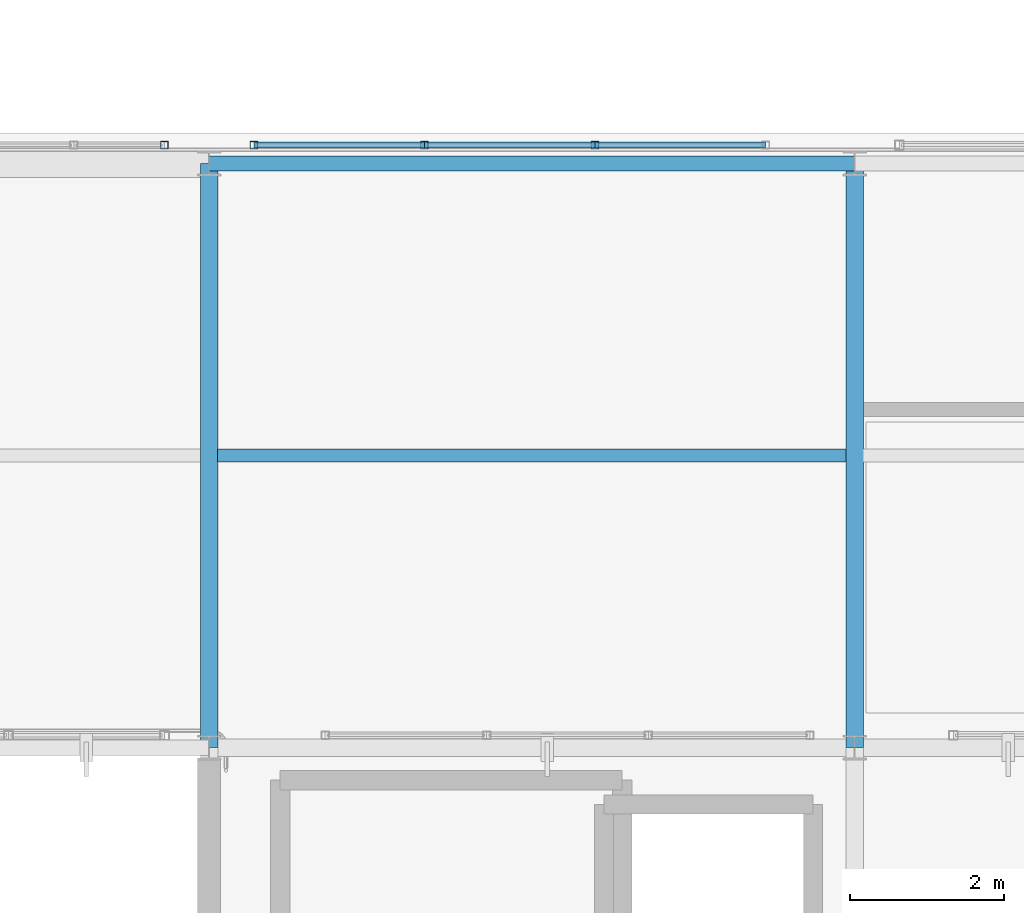
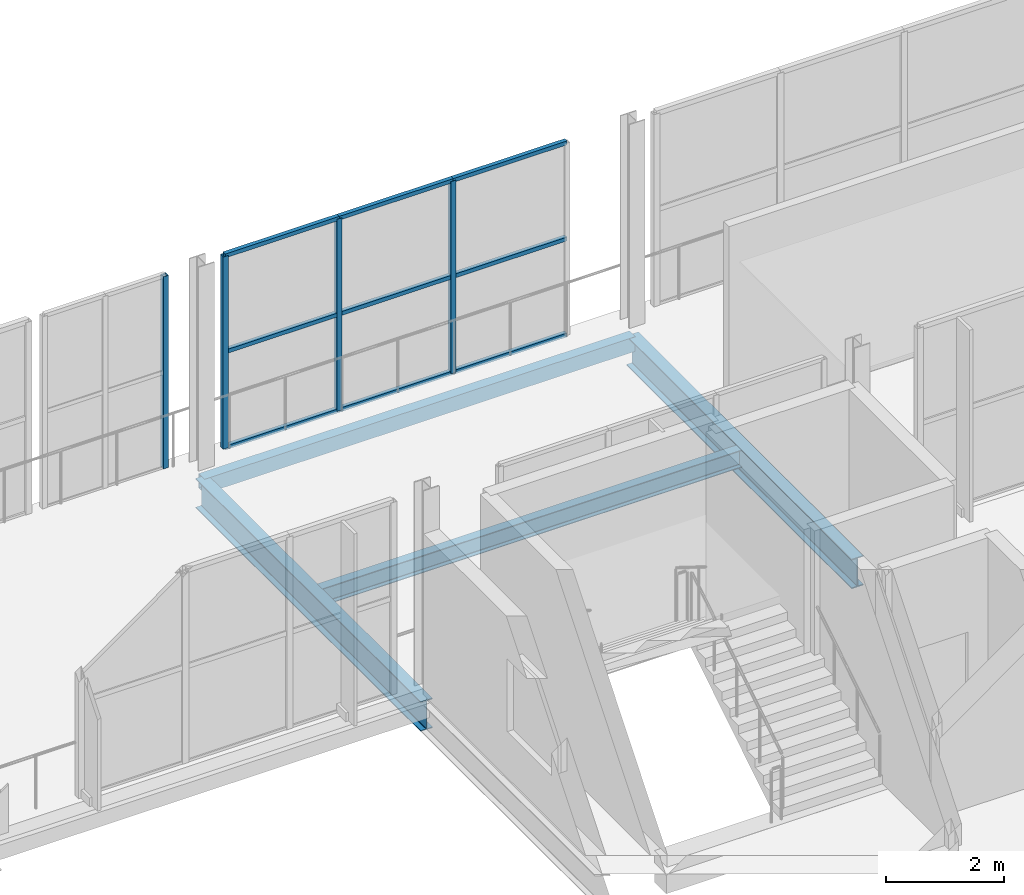
# One storey, part 29 of 151: 13 members, 4 beams, 2 elements without a shape of their own.
"""IFC4 building model written with IfcOpenShell, lengths in metres."""

from ifc_helpers import new_model, si_unit, direction, frame, origin, origin_2d, place, context, subcontext, project, spatial, hollow_rectangle, i_section, extrude, material, material_profile, profile_set, type_object, element, aggregate, save


model = new_model("IFC4")

# Units and contexts
model_context = context("Model", 3, precision=1e-05, world=origin(), true_north=direction((0.0, 1.0)))
body_context = subcontext(model_context, "Body", "Model", "MODEL_VIEW")
ifc_project = project(units=[si_unit("LENGTHUNIT", "METRE"), si_unit("AREAUNIT", "SQUARE_METRE"), si_unit("VOLUMEUNIT", "CUBIC_METRE"), si_unit("PLANEANGLEUNIT", "RADIAN"), si_unit("MASSUNIT", "GRAM", prefix="KILO")], contexts=[model_context])

# Site, building, storey
site_placement = place(None, origin())
site = spatial("IfcSite", under=ifc_project, at=site_placement, CompositionType="ELEMENT")
building_placement = place(site_placement, origin())
building = spatial("IfcBuilding", under=site, at=building_placement, Name="Zuvorla Pavilion Media Centre", CompositionType="ELEMENT")
storey_placement = place(building_placement, frame((0.0, 0.0, 13.800048828125)))
storey = spatial("IfcBuildingStorey", under=building, at=storey_placement, Name="L03", CompositionType="ELEMENT", Elevation=13.800048828125)

# Beams
ifc_material_1 = material(Name="Steel S355", Category="steel")
ifc_material_profile_1 = material_profile(ifc_material_1, hollow_rectangle(XDim=0.199951171875, YDim=0.300048828125, WallThickness=0.012451171875, at=origin_2d()), Name="RHS 300x200x12.5")
ifc_profile_set_1 = profile_set([ifc_material_profile_1], Name="Steel S355")
beam_type_1 = type_object("IfcBeamType", Name="BM-SP-RHS300", PredefinedType="SPANDREL", material=ifc_profile_set_1)
beam_1_placement = place(storey_placement, frame((41.60009765625, 51.60009765625, -0.407958984375), z_axis=(1.0, 0.0, 0.0), x_axis=(0.0, 1.0, 0.0)))
element("IfcBeam", 1, at=beam_1_placement, inside=storey, type_object=beam_type_1, Name="L03 spandrel SP01 1094", PredefinedType="SPANDREL", context=body_context, shape_type="SweptSolid", body=[
    extrude(hollow_rectangle(XDim=0.199951171875, YDim=0.300048828125, WallThickness=0.012451171875, at=origin_2d()), origin(), (0.0, 0.0, 1.0), 8.39990234375),
])
ifc_material_profile_2 = material_profile(ifc_material_1, i_section(OverallWidth=0.172119140625, OverallDepth=0.35791015625, WebThickness=0.008056640625, FlangeThickness=0.012939453125, FilletRadius=0.01025390625, at=origin_2d()), Name="UB 356x171x57")
ifc_profile_set_2 = profile_set([ifc_material_profile_2], Name="Steel S355")
beam_type_2 = type_object("IfcBeamType", Name="BM-UB356", PredefinedType="JOIST", material=ifc_profile_set_2)
beam_2_placement = place(storey_placement, frame((41.70947265625, 47.800048828125, -0.43701171875), z_axis=(1.0, 0.0, 0.0), x_axis=(0.0, 1.0, 0.0)))
element("IfcBeam", 2, at=beam_2_placement, inside=storey, type_object=beam_type_2, Name="L03 joist J03 1244", PredefinedType="JOIST", context=body_context, shape_type="SweptSolid", body=[
    extrude(i_section(OverallWidth=0.172119140625, OverallDepth=0.35791015625, WebThickness=0.008056640625, FlangeThickness=0.012939453125, FilletRadius=0.01025390625, at=origin_2d()), origin(), (0.0, 0.0, 1.0), 8.180908203125),
])
ifc_material_profile_3 = material_profile(ifc_material_1, i_section(OverallWidth=0.22900390625, OverallDepth=0.6123046875, WebThickness=0.011962890625, FlangeThickness=0.01953125, FilletRadius=0.0126953125, at=origin_2d()), Name="UB 610x229x125")
ifc_profile_set_3 = profile_set([ifc_material_profile_3], Name="Steel S355")
beam_type_3 = type_object("IfcBeamType", Name="BM-UB610", PredefinedType="BEAM", material=ifc_profile_set_3)
for number, where, z_axis, x_axis, name in (
    (3, (41.60009765625, 44.0, -0.564208984375), (0.0, 1.0, 0.0), (-1.0, 0.0, 0.0), "L03 beam B07 1164"),
    (4, (50.0, 44.0, -0.564208984375), (0.0, 1.0, 0.0), (-1.0, 0.0, 0.0), "L03 beam B07 1171"),
):
    element("IfcBeam", number, at=place(storey_placement, frame(where, z_axis=z_axis, x_axis=x_axis)), inside=storey, type_object=beam_type_3, Name=name, PredefinedType="BEAM", context=body_context, shape_type="SweptSolid", body=[
        extrude(i_section(OverallWidth=0.22900390625, OverallDepth=0.6123046875, WebThickness=0.011962890625, FlangeThickness=0.01953125, FilletRadius=0.0126953125, at=origin_2d()), origin(), (0.0, 0.0, 1.0), 7.60009765625),
    ])

# Curtain wall, member
ifc_material_2 = material(Name="Unitised anodised aluminium and solar glass curtain wall", Category="aluminium")
curtain_wall_type_1 = type_object("IfcCurtainWallType", Name="CW-SYS-31", PredefinedType="USERDEFINED", material=ifc_material_2)
curtain_wall_1_placement = place(storey_placement, origin())
curtain_wall_1 = element("IfcCurtainWall", 5, at=curtain_wall_1_placement, inside=storey, type_object=curtain_wall_type_1, Name="L03 curtain wall CW31 151", ObjectType="CURTAIN WALL", PredefinedType="USERDEFINED")
ifc_material_3 = material(Name="Anodised aluminium 6063-T6", Category="aluminium")
ifc_material_profile_4 = material_profile(ifc_material_3, hollow_rectangle(XDim=0.10009765625, YDim=0.10009765625, WallThickness=0.00439453125, at=origin_2d()), Name="ALU MULL 100x100")
ifc_profile_set_4 = profile_set([ifc_material_profile_4], Name="Anodised aluminium 6063-T6")
member_type_1 = type_object("IfcMemberType", Name="CW-MULL-100", PredefinedType="MULLION", material=ifc_profile_set_4)
member_1_placement = place(storey_placement, frame((41.01806640625, 51.840087890625, 0.0), z_axis=(0.0, 0.0, 1.0), x_axis=(1.0, 0.0, 0.0)))
member_1 = element("IfcMember", 6, at=member_1_placement, type_object=member_type_1, Name="CW31 mullion 3", PredefinedType="MULLION", context=body_context, shape_type="SweptSolid", body=[
    extrude(hollow_rectangle(XDim=0.10009765625, YDim=0.10009765625, WallThickness=0.00439453125, at=origin_2d()), origin(), (0.0, 0.0, 1.0), 3.9599609375),
])
aggregate(curtain_wall_1, [member_1])

# Curtain wall, members
curtain_wall_type_2 = type_object("IfcCurtainWallType", Name="CW-SYS-32", PredefinedType="USERDEFINED", material=ifc_material_2)
curtain_wall_2_placement = place(storey_placement, origin())
curtain_wall_2 = element("IfcCurtainWall", 7, at=curtain_wall_2_placement, inside=storey, type_object=curtain_wall_type_2, Name="L03 curtain wall CW32 152", ObjectType="CURTAIN WALL", PredefinedType="USERDEFINED")
member_2_placement = place(storey_placement, frame((42.181884765625, 51.840087890625, 0.0), z_axis=(0.0, 0.0, 1.0), x_axis=(1.0, 0.0, 0.0)))
member_2 = element("IfcMember", 8, at=member_2_placement, type_object=member_type_1, Name="CW32 mullion 1", PredefinedType="MULLION", context=body_context, shape_type="SweptSolid", body=[
    extrude(hollow_rectangle(XDim=0.10009765625, YDim=0.10009765625, WallThickness=0.00439453125, at=origin_2d()), origin(), (0.0, 0.0, 1.0), 3.9599609375),
])
member_3_placement = place(storey_placement, frame((44.4013671875, 51.840087890625, 0.0), z_axis=(0.0, 0.0, 1.0), x_axis=(1.0, 0.0, 0.0)))
member_3 = element("IfcMember", 9, at=member_3_placement, type_object=member_type_1, Name="CW32 mullion 2", PredefinedType="MULLION", context=body_context, shape_type="SweptSolid", body=[
    extrude(hollow_rectangle(XDim=0.10009765625, YDim=0.10009765625, WallThickness=0.00439453125, at=origin_2d()), origin(), (0.0, 0.0, 1.0), 3.9599609375),
])
member_4_placement = place(storey_placement, frame((46.62060546875, 51.840087890625, 0.0), z_axis=(0.0, 0.0, 1.0), x_axis=(1.0, 0.0, 0.0)))
member_4 = element("IfcMember", 10, at=member_4_placement, type_object=member_type_1, Name="CW32 mullion 3", PredefinedType="MULLION", context=body_context, shape_type="SweptSolid", body=[
    extrude(hollow_rectangle(XDim=0.10009765625, YDim=0.10009765625, WallThickness=0.00439453125, at=origin_2d()), origin(), (0.0, 0.0, 1.0), 3.9599609375),
])
ifc_material_profile_5 = material_profile(ifc_material_3, hollow_rectangle(XDim=0.080078125, YDim=0.080078125, WallThickness=0.00390625, at=origin_2d()), Name="ALU TRAN 80x80")
ifc_profile_set_5 = profile_set([ifc_material_profile_5], Name="Anodised aluminium 6063-T6")
member_type_2 = type_object("IfcMemberType", Name="CW-TRAN-80", PredefinedType="USERDEFINED", material=ifc_profile_set_5)
member_5_placement = place(storey_placement, frame((42.181884765625, 51.840087890625, 0.0), z_axis=(1.0, 0.0, 0.0), x_axis=(0.0, 1.0, 0.0)))
member_5 = element("IfcMember", 11, at=member_5_placement, type_object=member_type_2, Name="CW32 transom 1.1", ObjectType="TRANSOM", PredefinedType="USERDEFINED", context=body_context, shape_type="SweptSolid", body=[
    extrude(hollow_rectangle(XDim=0.080078125, YDim=0.080078125, WallThickness=0.00390625, at=origin_2d()), origin(), (0.0, 0.0, 1.0), 2.219482421875),
])
member_6_placement = place(storey_placement, frame((42.181884765625, 51.840087890625, 1.97998046875), z_axis=(1.0, 0.0, 0.0), x_axis=(0.0, 1.0, 0.0)))
member_6 = element("IfcMember", 12, at=member_6_placement, type_object=member_type_2, Name="CW32 transom 1.2", ObjectType="TRANSOM", PredefinedType="USERDEFINED", context=body_context, shape_type="SweptSolid", body=[
    extrude(hollow_rectangle(XDim=0.080078125, YDim=0.080078125, WallThickness=0.00390625, at=origin_2d()), origin(), (0.0, 0.0, 1.0), 2.219482421875),
])
member_7_placement = place(storey_placement, frame((42.181884765625, 51.840087890625, 3.9599609375), z_axis=(1.0, 0.0, 0.0), x_axis=(0.0, 1.0, 0.0)))
member_7 = element("IfcMember", 13, at=member_7_placement, type_object=member_type_2, Name="CW32 transom 1.3", ObjectType="TRANSOM", PredefinedType="USERDEFINED", context=body_context, shape_type="SweptSolid", body=[
    extrude(hollow_rectangle(XDim=0.080078125, YDim=0.080078125, WallThickness=0.00390625, at=origin_2d()), origin(), (0.0, 0.0, 1.0), 2.219482421875),
])
member_8_placement = place(storey_placement, frame((44.4013671875, 51.840087890625, 0.0), z_axis=(1.0, 0.0, 0.0), x_axis=(0.0, 1.0, 0.0)))
member_8 = element("IfcMember", 14, at=member_8_placement, type_object=member_type_2, Name="CW32 transom 2.1", ObjectType="TRANSOM", PredefinedType="USERDEFINED", context=body_context, shape_type="SweptSolid", body=[
    extrude(hollow_rectangle(XDim=0.080078125, YDim=0.080078125, WallThickness=0.00390625, at=origin_2d()), origin(), (0.0, 0.0, 1.0), 2.21923828125),
])
member_9_placement = place(storey_placement, frame((44.4013671875, 51.840087890625, 1.97998046875), z_axis=(1.0, 0.0, 0.0), x_axis=(0.0, 1.0, 0.0)))
member_9 = element("IfcMember", 15, at=member_9_placement, type_object=member_type_2, Name="CW32 transom 2.2", ObjectType="TRANSOM", PredefinedType="USERDEFINED", context=body_context, shape_type="SweptSolid", body=[
    extrude(hollow_rectangle(XDim=0.080078125, YDim=0.080078125, WallThickness=0.00390625, at=origin_2d()), origin(), (0.0, 0.0, 1.0), 2.21923828125),
])
member_10_placement = place(storey_placement, frame((44.4013671875, 51.840087890625, 3.9599609375), z_axis=(1.0, 0.0, 0.0), x_axis=(0.0, 1.0, 0.0)))
member_10 = element("IfcMember", 16, at=member_10_placement, type_object=member_type_2, Name="CW32 transom 2.3", ObjectType="TRANSOM", PredefinedType="USERDEFINED", context=body_context, shape_type="SweptSolid", body=[
    extrude(hollow_rectangle(XDim=0.080078125, YDim=0.080078125, WallThickness=0.00390625, at=origin_2d()), origin(), (0.0, 0.0, 1.0), 2.21923828125),
])
member_11_placement = place(storey_placement, frame((46.62060546875, 51.840087890625, 0.0), z_axis=(1.0, 0.0, 0.0), x_axis=(0.0, 1.0, 0.0)))
member_11 = element("IfcMember", 17, at=member_11_placement, type_object=member_type_2, Name="CW32 transom 3.1", ObjectType="TRANSOM", PredefinedType="USERDEFINED", context=body_context, shape_type="SweptSolid", body=[
    extrude(hollow_rectangle(XDim=0.080078125, YDim=0.080078125, WallThickness=0.00390625, at=origin_2d()), origin(), (0.0, 0.0, 1.0), 2.219482421875),
])
member_12_placement = place(storey_placement, frame((46.62060546875, 51.840087890625, 1.97998046875), z_axis=(1.0, 0.0, 0.0), x_axis=(0.0, 1.0, 0.0)))
member_12 = element("IfcMember", 18, at=member_12_placement, type_object=member_type_2, Name="CW32 transom 3.2", ObjectType="TRANSOM", PredefinedType="USERDEFINED", context=body_context, shape_type="SweptSolid", body=[
    extrude(hollow_rectangle(XDim=0.080078125, YDim=0.080078125, WallThickness=0.00390625, at=origin_2d()), origin(), (0.0, 0.0, 1.0), 2.219482421875),
])
member_13_placement = place(storey_placement, frame((46.62060546875, 51.840087890625, 3.9599609375), z_axis=(1.0, 0.0, 0.0), x_axis=(0.0, 1.0, 0.0)))
member_13 = element("IfcMember", 19, at=member_13_placement, type_object=member_type_2, Name="CW32 transom 3.3", ObjectType="TRANSOM", PredefinedType="USERDEFINED", context=body_context, shape_type="SweptSolid", body=[
    extrude(hollow_rectangle(XDim=0.080078125, YDim=0.080078125, WallThickness=0.00390625, at=origin_2d()), origin(), (0.0, 0.0, 1.0), 2.219482421875),
])
aggregate(curtain_wall_2, [member_2, member_3, member_4, member_5, member_6, member_7, member_8, member_9, member_10, member_11, member_12, member_13])

save(model, "model.ifc")
